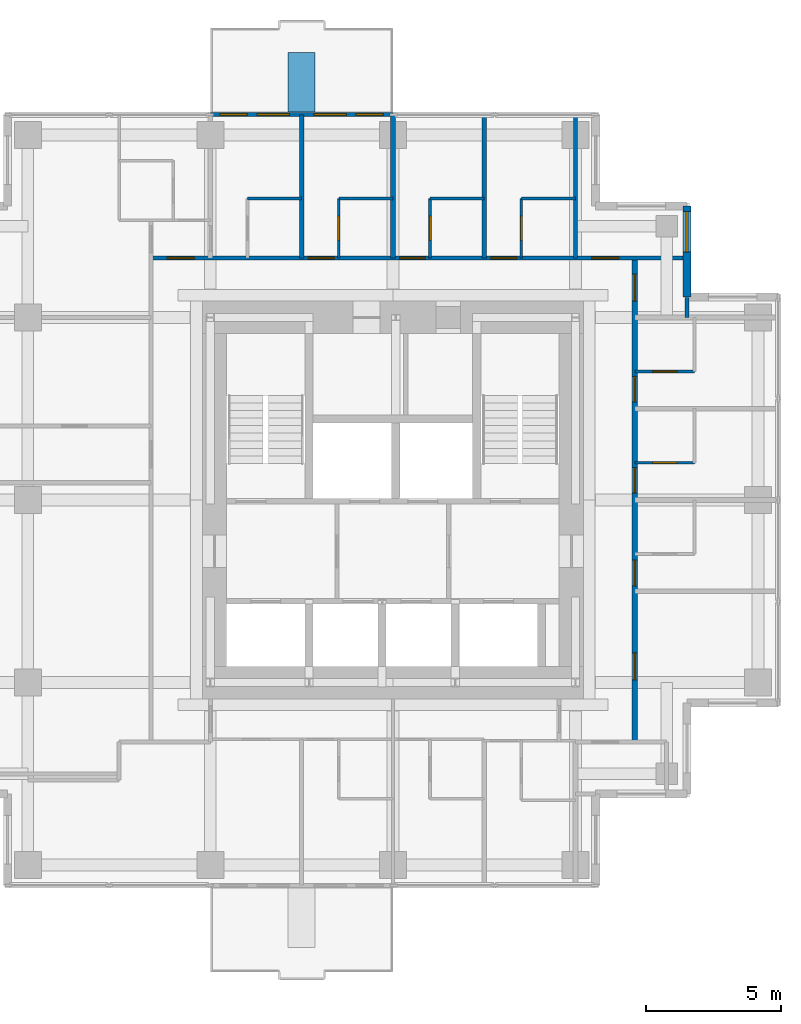
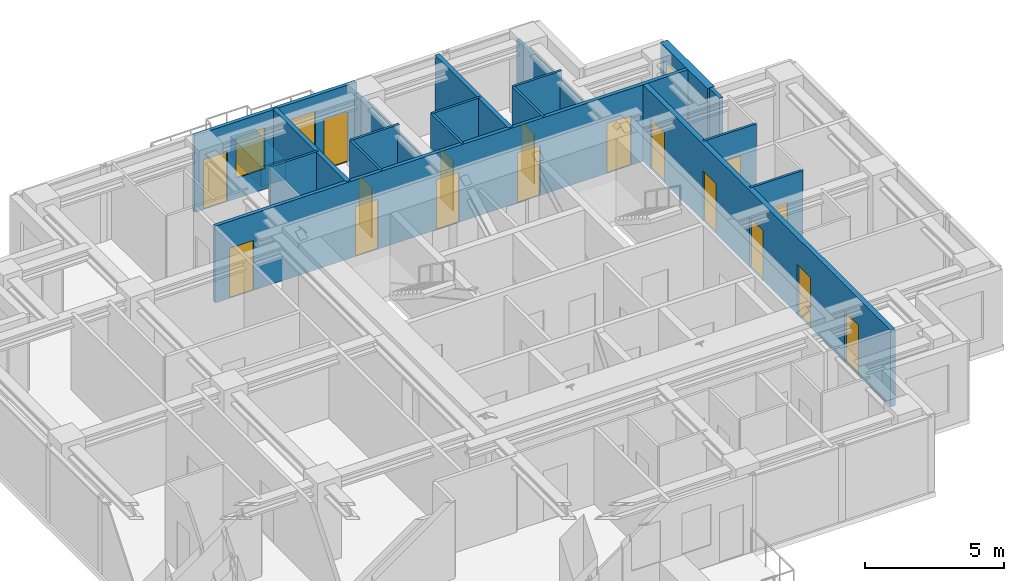
# One storey, part 6 of 8: 19 walls, 17 doors, 3 windows, 20 openings.
"""IFC4 building model written with IfcOpenShell, lengths in metres."""

from ifc_helpers import new_model, si_unit, direction, frame, frame_2d, origin, place, context, subcontext, project, spatial, rectangle, extrude, material, layer, layer_set, type_object, element, fill, save


model = new_model("IFC4")

# Units and contexts
model_context = context("Model", 3, precision=1e-05, world=origin(), true_north=direction((0.0, 1.0)))
body_context = subcontext(model_context, "Body", "Model", "MODEL_VIEW")
ifc_project = project(units=[si_unit("LENGTHUNIT", "METRE"), si_unit("AREAUNIT", "SQUARE_METRE"), si_unit("VOLUMEUNIT", "CUBIC_METRE"), si_unit("PLANEANGLEUNIT", "RADIAN"), si_unit("MASSUNIT", "GRAM", prefix="KILO")], contexts=[model_context])

# Site, building, storey
site_placement = place(None, origin())
site = spatial("IfcSite", under=ifc_project, at=site_placement, CompositionType="ELEMENT")
building_placement = place(site_placement, origin())
building = spatial("IfcBuilding", under=site, at=building_placement, Name="Nyansa Garden Tower", CompositionType="ELEMENT")
storey_placement = place(building_placement, frame((0.0, 0.0, 233.10009765625)))
storey = spatial("IfcBuildingStorey", under=building, at=storey_placement, Name="L63", CompositionType="ELEMENT", Elevation=233.10009765625)

# Walls
ifc_material_1 = material(Name="Dense blockwork, plastered both sides, 55 dB", Category="masonry")
ifc_layer_1 = layer(ifc_material_1, 0.175048828125)
ifc_layer_set_1 = layer_set([ifc_layer_1], Name="Acoustic party wall PW175")
wall_type_1 = type_object("IfcWallType", Name="Acoustic party wall PW175", PredefinedType="PARTITIONING", material=ifc_layer_set_1)
wall_1_placement = place(storey_placement, frame((16.875, 29.199951171875, 0.0), z_axis=(0.0, 0.0, 1.0), x_axis=(0.0, 1.0, 0.0)))
element("IfcWall", 1, at=wall_1_placement, inside=storey, type_object=wall_type_1, Name="Party wall", PredefinedType="PARTITIONING", context=body_context, shape_type="SweptSolid", body=[
    extrude(rectangle(XDim=5.283935546875, YDim=0.175048828125, at=frame_2d((2.64208984375, 0.0))), origin(), (0.0, 0.0, 1.0), 3.375),
])
wall_2_placement = place(storey_placement, frame((20.25, 29.199951171875, 0.0), z_axis=(0.0, 0.0, 1.0), x_axis=(0.0, 1.0, 0.0)))
element("IfcWall", 2, at=wall_2_placement, inside=storey, type_object=wall_type_1, Name="Party wall", PredefinedType="PARTITIONING", context=body_context, shape_type="SweptSolid", body=[
    extrude(rectangle(XDim=5.283935546875, YDim=0.175048828125, at=frame_2d((2.64208984375, 0.0))), origin(), (0.0, 0.0, 1.0), 2.876953125),
])
wall_3_placement = place(storey_placement, frame((23.625, 29.199951171875, 0.0), z_axis=(0.0, 0.0, 1.0), x_axis=(0.0, 1.0, 0.0)))
element("IfcWall", 3, at=wall_3_placement, inside=storey, type_object=wall_type_1, Name="Party wall", PredefinedType="PARTITIONING", context=body_context, shape_type="SweptSolid", body=[
    extrude(rectangle(XDim=5.283935546875, YDim=0.175048828125, at=frame_2d((2.64208984375, 0.0))), origin(), (0.0, 0.0, 1.0), 3.375),
])

# Wall, openings, doors, windows
ifc_material_2 = material(Name="Black aluminium framed glazed screen", Category="aluminium")
ifc_layer_2 = layer(ifc_material_2, 0.14990234375)
ifc_layer_set_2 = layer_set([ifc_layer_2], Name="Balcony screen wall BW150")
wall_type_2 = type_object("IfcWallType", Name="Balcony screen wall BW150", PredefinedType="SOLIDWALL", material=ifc_layer_set_2)
wall_4_placement = place(storey_placement, frame((13.5, 34.5, 0.0), z_axis=(0.0, 0.0, 1.0), x_axis=(1.0, 0.0, 0.0)))
wall_4 = element("IfcWall", 4, at=wall_4_placement, inside=storey, type_object=wall_type_2, Name="Glazed screen wall L63 N", PredefinedType="SOLIDWALL", context=body_context, shape_type="SweptSolid", body=[
    extrude(rectangle(XDim=6.75, YDim=0.14990234375, at=frame_2d((3.375, 0.0))), origin(), (0.0, 0.0, 1.0), 3.375),
])
opening_1_placement = place(wall_4_placement, frame((0.362548828125, 0.0, 0.0)))
opening_1 = element("IfcOpeningElement", 5, at=opening_1_placement, cuts=wall_4, Name="Opening D20", PredefinedType="OPENING", context=body_context, shape_type="SweptSolid", body=[
    extrude(rectangle(XDim=1.0, YDim=2.199951171875, at=frame_2d((0.5, 1.10009765625))), frame((0.0, 0.0849609375, 0.0), z_axis=(0.0, -1.0, 0.0), x_axis=(1.0, 0.0, 0.0)), (0.0, 0.0, 1.0), 0.169921875),
])
opening_2_placement = place(wall_4_placement, frame((1.72509765625, 0.0, 0.89990234375)))
opening_2 = element("IfcOpeningElement", 6, at=opening_2_placement, cuts=wall_4, Name="Opening W6", PredefinedType="OPENING", context=body_context, shape_type="SweptSolid", body=[
    extrude(rectangle(XDim=1.199951171875, YDim=1.800048828125, at=frame_2d((0.60009765625, 0.89990234375))), frame((0.0, 0.0849609375, 0.0), z_axis=(0.0, -1.0, 0.0), x_axis=(1.0, 0.0, 0.0)), (0.0, 0.0, 1.0), 0.169921875),
])
opening_3_placement = place(wall_4_placement, frame((5.387451171875, 0.0, 0.0)))
opening_3 = element("IfcOpeningElement", 7, at=opening_3_placement, cuts=wall_4, Name="Opening D20", PredefinedType="OPENING", context=body_context, shape_type="SweptSolid", body=[
    extrude(rectangle(XDim=1.0, YDim=2.199951171875, at=frame_2d((0.5, 1.10009765625))), frame((0.0, 0.0849609375, 0.0), z_axis=(0.0, -1.0, 0.0), x_axis=(1.0, 0.0, 0.0)), (0.0, 0.0, 1.0), 0.169921875),
])
opening_4_placement = place(wall_4_placement, frame((3.824951171875, 0.0, 0.89990234375)))
opening_4 = element("IfcOpeningElement", 8, at=opening_4_placement, cuts=wall_4, Name="Opening W6", PredefinedType="OPENING", context=body_context, shape_type="SweptSolid", body=[
    extrude(rectangle(XDim=1.199951171875, YDim=1.800048828125, at=frame_2d((0.60009765625, 0.89990234375))), frame((0.0, 0.0849609375, 0.0), z_axis=(0.0, -1.0, 0.0), x_axis=(1.0, 0.0, 0.0)), (0.0, 0.0, 1.0), 0.169921875),
])
ifc_material_3 = material(Name="Black aluminium framed glazed door", Category="aluminium")
door_type_1 = type_object("IfcDoorType", Name="Balcony door D20 1000x2200", OperationType="NOTDEFINED", PredefinedType="DOOR", material=ifc_material_3)
door_1_placement = place(opening_1_placement, origin())
door_1 = element("IfcDoor", 9, at=door_1_placement, inside=storey, type_object=door_type_1, Name="Balcony door L63", OperationType="SINGLE_SWING_LEFT", OverallHeight=2.199951171875, OverallWidth=1.0, PredefinedType="DOOR", context=body_context, shape_type="SweptSolid", body=[
    extrude(rectangle(XDim=1.0, YDim=2.199951171875, at=frame_2d((0.5, 1.10009765625))), frame((0.0, 0.02490234375, 0.0), z_axis=(0.0, -1.0, 0.0), x_axis=(1.0, 0.0, 0.0)), (0.0, 0.0, 1.0), 0.050048828125),
])
fill(opening_1, door_1)
door_2_placement = place(opening_3_placement, origin())
door_2 = element("IfcDoor", 10, at=door_2_placement, inside=storey, type_object=door_type_1, Name="Balcony door L63", OperationType="SINGLE_SWING_RIGHT", OverallHeight=2.199951171875, OverallWidth=1.0, PredefinedType="DOOR", context=body_context, shape_type="SweptSolid", body=[
    extrude(rectangle(XDim=1.0, YDim=2.199951171875, at=frame_2d((0.5, 1.10009765625))), frame((0.0, 0.02490234375, 0.0), z_axis=(0.0, -1.0, 0.0), x_axis=(1.0, 0.0, 0.0)), (0.0, 0.0, 1.0), 0.050048828125),
])
fill(opening_3, door_2)
ifc_material_4 = material(Name="Black aluminium frame, dark tinted double glazing", Category="aluminium")
window_type_1 = type_object("IfcWindowType", Name="Balcony window W6 1200x1800", PartitioningType="SINGLE_PANEL", PredefinedType="WINDOW", material=ifc_material_4)
window_1_placement = place(opening_2_placement, origin())
window_1 = element("IfcWindow", 11, at=window_1_placement, inside=storey, type_object=window_type_1, Name="Window L63", OverallHeight=1.800048828125, OverallWidth=1.199951171875, PartitioningType="SINGLE_PANEL", PredefinedType="WINDOW", context=body_context, shape_type="SweptSolid", body=[
    extrude(rectangle(XDim=1.199951171875, YDim=1.800048828125, at=frame_2d((0.60009765625, 0.89990234375))), frame((0.0, 0.030029296875, 0.0), z_axis=(0.0, -1.0, 0.0), x_axis=(1.0, 0.0, 0.0)), (0.0, 0.0, 1.0), 0.06005859375),
])
fill(opening_2, window_1)
window_2_placement = place(opening_4_placement, origin())
window_2 = element("IfcWindow", 12, at=window_2_placement, inside=storey, type_object=window_type_1, Name="Window L63", OverallHeight=1.800048828125, OverallWidth=1.199951171875, PartitioningType="SINGLE_PANEL", PredefinedType="WINDOW", context=body_context, shape_type="SweptSolid", body=[
    extrude(rectangle(XDim=1.199951171875, YDim=1.800048828125, at=frame_2d((0.60009765625, 0.89990234375))), frame((0.0, 0.030029296875, 0.0), z_axis=(0.0, -1.0, 0.0), x_axis=(1.0, 0.0, 0.0)), (0.0, 0.0, 1.0), 0.06005859375),
])
fill(opening_4, window_2)

# Wall, openings, doors
ifc_material_5 = material(Name="Concrete blockwork, plastered, 60 minute fire resisting", Category="masonry")
ifc_layer_3 = layer(ifc_material_5, 0.199951171875)
ifc_layer_set_3 = layer_set([ifc_layer_3], Name="Corridor wall FW200")
wall_type_3 = type_object("IfcWallType", Name="Corridor wall FW200", PredefinedType="PARTITIONING", material=ifc_layer_set_3)
wall_5_placement = place(storey_placement, frame((29.199951171875, 11.300048828125, 0.0), z_axis=(0.0, 0.0, 1.0), x_axis=(0.0, 1.0, 0.0)))
wall_5 = element("IfcWall", 13, at=wall_5_placement, inside=storey, type_object=wall_type_3, Name="Corridor wall", PredefinedType="PARTITIONING", context=body_context, shape_type="SweptSolid", body=[
    extrude(rectangle(XDim=17.89990234375, YDim=0.199951171875, at=frame_2d((8.949951171875, 0.0))), origin(), (0.0, 0.0, 1.0), 3.375),
])
opening_5_placement = place(wall_5_placement, frame((2.300048828125, 0.0, 0.0)))
opening_5 = element("IfcOpeningElement", 14, at=opening_5_placement, cuts=wall_5, Name="Opening D03", PredefinedType="OPENING", context=body_context, shape_type="SweptSolid", body=[
    extrude(rectangle(XDim=1.0, YDim=2.199951171875, at=frame_2d((0.5, 1.10009765625))), frame((0.0, 0.10986328125, 0.0), z_axis=(0.0, -1.0, 0.0), x_axis=(1.0, 0.0, 0.0)), (0.0, 0.0, 1.0), 0.219970703125),
])
opening_6_placement = place(wall_5_placement, frame((5.77490234375, 0.0, 0.0)))
opening_6 = element("IfcOpeningElement", 15, at=opening_6_placement, cuts=wall_5, Name="Opening D14", PredefinedType="OPENING", context=body_context, shape_type="SweptSolid", body=[
    extrude(rectangle(XDim=0.949951171875, YDim=2.199951171875, at=frame_2d((0.47509765625, 1.10009765625))), frame((0.0, 0.10986328125, 0.0), z_axis=(0.0, -1.0, 0.0), x_axis=(1.0, 0.0, 0.0)), (0.0, 0.0, 1.0), 0.219970703125),
])
opening_7_placement = place(wall_5_placement, frame((9.199951171875, 0.0, 0.0)))
opening_7 = element("IfcOpeningElement", 16, at=opening_7_placement, cuts=wall_5, Name="Opening D14", PredefinedType="OPENING", context=body_context, shape_type="SweptSolid", body=[
    extrude(rectangle(XDim=0.949951171875, YDim=2.199951171875, at=frame_2d((0.47509765625, 1.10009765625))), frame((0.0, 0.10986328125, 0.0), z_axis=(0.0, -1.0, 0.0), x_axis=(1.0, 0.0, 0.0)), (0.0, 0.0, 1.0), 0.219970703125),
])
opening_8_placement = place(wall_5_placement, frame((12.574951171875, 0.0, 0.0)))
opening_8 = element("IfcOpeningElement", 17, at=opening_8_placement, cuts=wall_5, Name="Opening D14", PredefinedType="OPENING", context=body_context, shape_type="SweptSolid", body=[
    extrude(rectangle(XDim=0.949951171875, YDim=2.199951171875, at=frame_2d((0.47509765625, 1.10009765625))), frame((0.0, 0.10986328125, 0.0), z_axis=(0.0, -1.0, 0.0), x_axis=(1.0, 0.0, 0.0)), (0.0, 0.0, 1.0), 0.219970703125),
])
opening_9_placement = place(wall_5_placement, frame((16.300048828125, 0.0, 0.0)))
opening_9 = element("IfcOpeningElement", 18, at=opening_9_placement, cuts=wall_5, Name="Opening D03", PredefinedType="OPENING", context=body_context, shape_type="SweptSolid", body=[
    extrude(rectangle(XDim=1.0, YDim=2.199951171875, at=frame_2d((0.5, 1.10009765625))), frame((0.0, 0.10986328125, 0.0), z_axis=(0.0, -1.0, 0.0), x_axis=(1.0, 0.0, 0.0)), (0.0, 0.0, 1.0), 0.219970703125),
])
ifc_material_6 = material(Name="Timber flush door, 60 minute fire resisting", Category="wood")
door_type_2 = type_object("IfcDoorType", Name="Cluster entrance door D03 1000x2200", OperationType="SINGLE_SWING_LEFT", PredefinedType="DOOR", material=ifc_material_6)
door_3_placement = place(opening_5_placement, origin())
door_3 = element("IfcDoor", 19, at=door_3_placement, inside=storey, type_object=door_type_2, Name="Door L63-026", OperationType="SINGLE_SWING_LEFT", OverallHeight=2.199951171875, OverallWidth=1.0, PredefinedType="DOOR", context=body_context, shape_type="SweptSolid", body=[
    extrude(rectangle(XDim=1.0, YDim=2.199951171875, at=frame_2d((0.5, 1.10009765625))), frame((0.0, 0.02490234375, 0.0), z_axis=(0.0, -1.0, 0.0), x_axis=(1.0, 0.0, 0.0)), (0.0, 0.0, 1.0), 0.050048828125),
])
fill(opening_5, door_3)
door_4_placement = place(opening_9_placement, origin())
door_4 = element("IfcDoor", 20, at=door_4_placement, inside=storey, type_object=door_type_2, Name="Door L63-033", OperationType="SINGLE_SWING_LEFT", OverallHeight=2.199951171875, OverallWidth=1.0, PredefinedType="DOOR", context=body_context, shape_type="SweptSolid", body=[
    extrude(rectangle(XDim=1.0, YDim=2.199951171875, at=frame_2d((0.5, 1.10009765625))), frame((0.0, 0.02490234375, 0.0), z_axis=(0.0, -1.0, 0.0), x_axis=(1.0, 0.0, 0.0)), (0.0, 0.0, 1.0), 0.050048828125),
])
fill(opening_9, door_4)
ifc_material_7 = material(Name="Timber flush door, 60 minute fire resisting, self-closing", Category="wood")
door_type_3 = type_object("IfcDoorType", Name="Studio entrance door D14 950x2200", OperationType="SINGLE_SWING_LEFT", PredefinedType="DOOR", material=ifc_material_7)
door_5_placement = place(opening_6_placement, origin())
door_5 = element("IfcDoor", 21, at=door_5_placement, inside=storey, type_object=door_type_3, Name="Door L63-027", OperationType="SINGLE_SWING_LEFT", OverallHeight=2.199951171875, OverallWidth=0.949951171875, PredefinedType="DOOR", context=body_context, shape_type="SweptSolid", body=[
    extrude(rectangle(XDim=0.949951171875, YDim=2.199951171875, at=frame_2d((0.47509765625, 1.10009765625))), frame((0.0, 0.02490234375, 0.0), z_axis=(0.0, -1.0, 0.0), x_axis=(1.0, 0.0, 0.0)), (0.0, 0.0, 1.0), 0.050048828125),
])
fill(opening_6, door_5)
door_6_placement = place(opening_7_placement, origin())
door_6 = element("IfcDoor", 22, at=door_6_placement, inside=storey, type_object=door_type_3, Name="Door L63-029", OperationType="SINGLE_SWING_LEFT", OverallHeight=2.199951171875, OverallWidth=0.949951171875, PredefinedType="DOOR", context=body_context, shape_type="SweptSolid", body=[
    extrude(rectangle(XDim=0.949951171875, YDim=2.199951171875, at=frame_2d((0.47509765625, 1.10009765625))), frame((0.0, 0.02490234375, 0.0), z_axis=(0.0, -1.0, 0.0), x_axis=(1.0, 0.0, 0.0)), (0.0, 0.0, 1.0), 0.050048828125),
])
fill(opening_7, door_6)
door_7_placement = place(opening_8_placement, origin())
door_7 = element("IfcDoor", 23, at=door_7_placement, inside=storey, type_object=door_type_3, Name="Door L63-031", OperationType="SINGLE_SWING_LEFT", OverallHeight=2.199951171875, OverallWidth=0.949951171875, PredefinedType="DOOR", context=body_context, shape_type="SweptSolid", body=[
    extrude(rectangle(XDim=0.949951171875, YDim=2.199951171875, at=frame_2d((0.47509765625, 1.10009765625))), frame((0.0, 0.02490234375, 0.0), z_axis=(0.0, -1.0, 0.0), x_axis=(1.0, 0.0, 0.0)), (0.0, 0.0, 1.0), 0.050048828125),
])
fill(opening_8, door_7)

ifc_material_8 = material(Name="Blockwork, plastered both sides", Category="masonry")
ifc_layer_4 = layer(ifc_material_8, 0.14990234375)
ifc_layer_set_4 = layer_set([ifc_layer_4], Name="Partition PW150")
wall_type_4 = type_object("IfcWallType", Name="Partition PW150", PredefinedType="PARTITIONING", material=ifc_layer_set_4)
wall_6_placement = place(storey_placement, frame((11.300048828125, 29.199951171875, 0.0), z_axis=(0.0, 0.0, 1.0), x_axis=(1.0, 0.0, 0.0)))
wall_6 = element("IfcWall", 24, at=wall_6_placement, inside=storey, type_object=wall_type_4, Name="Partition", PredefinedType="PARTITIONING", context=body_context, shape_type="SweptSolid", body=[
    extrude(rectangle(XDim=19.808837890625, YDim=0.14990234375, at=frame_2d((9.904296875, 0.0))), origin(), (0.0, 0.0, 1.0), 3.375),
])
opening_10_placement = place(wall_6_placement, frame((16.300048828125, 0.0, 0.0)))
opening_10 = element("IfcOpeningElement", 25, at=opening_10_placement, cuts=wall_6, Name="Opening D03", PredefinedType="OPENING", context=body_context, shape_type="SweptSolid", body=[
    extrude(rectangle(XDim=1.0, YDim=2.199951171875, at=frame_2d((0.5, 1.10009765625))), frame((0.0, 0.0849609375, 0.0), z_axis=(0.0, -1.0, 0.0), x_axis=(1.0, 0.0, 0.0)), (0.0, 0.0, 1.0), 0.169921875),
])
opening_11_placement = place(wall_6_placement, frame((5.824951171875, 0.0, 0.0)))
opening_11 = element("IfcOpeningElement", 26, at=opening_11_placement, cuts=wall_6, Name="Opening D14", PredefinedType="OPENING", context=body_context, shape_type="SweptSolid", body=[
    extrude(rectangle(XDim=0.949951171875, YDim=2.199951171875, at=frame_2d((0.47509765625, 1.10009765625))), frame((0.0, 0.0849609375, 0.0), z_axis=(0.0, -1.0, 0.0), x_axis=(1.0, 0.0, 0.0)), (0.0, 0.0, 1.0), 0.169921875),
])
opening_12_placement = place(wall_6_placement, frame((9.199951171875, 0.0, 0.0)))
opening_12 = element("IfcOpeningElement", 27, at=opening_12_placement, cuts=wall_6, Name="Opening D14", PredefinedType="OPENING", context=body_context, shape_type="SweptSolid", body=[
    extrude(rectangle(XDim=0.949951171875, YDim=2.199951171875, at=frame_2d((0.47509765625, 1.10009765625))), frame((0.0, 0.0849609375, 0.0), z_axis=(0.0, -1.0, 0.0), x_axis=(1.0, 0.0, 0.0)), (0.0, 0.0, 1.0), 0.169921875),
])
opening_13_placement = place(wall_6_placement, frame((12.574951171875, 0.0, 0.0)))
opening_13 = element("IfcOpeningElement", 28, at=opening_13_placement, cuts=wall_6, Name="Opening D14", PredefinedType="OPENING", context=body_context, shape_type="SweptSolid", body=[
    extrude(rectangle(XDim=0.949951171875, YDim=2.199951171875, at=frame_2d((0.47509765625, 1.10009765625))), frame((0.0, 0.0849609375, 0.0), z_axis=(0.0, -1.0, 0.0), x_axis=(1.0, 0.0, 0.0)), (0.0, 0.0, 1.0), 0.169921875),
])
opening_14_placement = place(wall_6_placement, frame((0.60009765625, 0.0, 0.0)))
opening_14 = element("IfcOpeningElement", 29, at=opening_14_placement, cuts=wall_6, Name="Opening D03", PredefinedType="OPENING", context=body_context, shape_type="SweptSolid", body=[
    extrude(rectangle(XDim=1.0, YDim=2.199951171875, at=frame_2d((0.5, 1.10009765625))), frame((0.0, 0.0849609375, 0.0), z_axis=(0.0, -1.0, 0.0), x_axis=(1.0, 0.0, 0.0)), (0.0, 0.0, 1.0), 0.169921875),
])
door_8_placement = place(opening_10_placement, origin())
door_8 = element("IfcDoor", 30, at=door_8_placement, inside=storey, type_object=door_type_2, Name="Door L63-034", OperationType="SINGLE_SWING_LEFT", OverallHeight=2.199951171875, OverallWidth=1.0, PredefinedType="DOOR", context=body_context, shape_type="SweptSolid", body=[
    extrude(rectangle(XDim=1.0, YDim=2.199951171875, at=frame_2d((0.5, 1.10009765625))), frame((0.0, 0.02490234375, 0.0), z_axis=(0.0, -1.0, 0.0), x_axis=(1.0, 0.0, 0.0)), (0.0, 0.0, 1.0), 0.050048828125),
])
fill(opening_10, door_8)
door_9_placement = place(opening_14_placement, origin())
door_9 = element("IfcDoor", 31, at=door_9_placement, inside=storey, type_object=door_type_2, Name="Door L63-045", OperationType="SINGLE_SWING_LEFT", OverallHeight=2.199951171875, OverallWidth=1.0, PredefinedType="DOOR", context=body_context, shape_type="SweptSolid", body=[
    extrude(rectangle(XDim=1.0, YDim=2.199951171875, at=frame_2d((0.5, 1.10009765625))), frame((0.0, 0.02490234375, 0.0), z_axis=(0.0, -1.0, 0.0), x_axis=(1.0, 0.0, 0.0)), (0.0, 0.0, 1.0), 0.050048828125),
])
fill(opening_14, door_9)
door_10_placement = place(opening_11_placement, origin())
door_10 = element("IfcDoor", 32, at=door_10_placement, inside=storey, type_object=door_type_3, Name="Door L63-039", OperationType="SINGLE_SWING_LEFT", OverallHeight=2.199951171875, OverallWidth=0.949951171875, PredefinedType="DOOR", context=body_context, shape_type="SweptSolid", body=[
    extrude(rectangle(XDim=0.949951171875, YDim=2.199951171875, at=frame_2d((0.47509765625, 1.10009765625))), frame((0.0, 0.02490234375, 0.0), z_axis=(0.0, -1.0, 0.0), x_axis=(1.0, 0.0, 0.0)), (0.0, 0.0, 1.0), 0.050048828125),
])
fill(opening_11, door_10)
door_11_placement = place(opening_12_placement, origin())
door_11 = element("IfcDoor", 33, at=door_11_placement, inside=storey, type_object=door_type_3, Name="Door L63-041", OperationType="SINGLE_SWING_LEFT", OverallHeight=2.199951171875, OverallWidth=0.949951171875, PredefinedType="DOOR", context=body_context, shape_type="SweptSolid", body=[
    extrude(rectangle(XDim=0.949951171875, YDim=2.199951171875, at=frame_2d((0.47509765625, 1.10009765625))), frame((0.0, 0.02490234375, 0.0), z_axis=(0.0, -1.0, 0.0), x_axis=(1.0, 0.0, 0.0)), (0.0, 0.0, 1.0), 0.050048828125),
])
fill(opening_12, door_11)
door_12_placement = place(opening_13_placement, origin())
door_12 = element("IfcDoor", 34, at=door_12_placement, inside=storey, type_object=door_type_3, Name="Door L63-043", OperationType="SINGLE_SWING_LEFT", OverallHeight=2.199951171875, OverallWidth=0.949951171875, PredefinedType="DOOR", context=body_context, shape_type="SweptSolid", body=[
    extrude(rectangle(XDim=0.949951171875, YDim=2.199951171875, at=frame_2d((0.47509765625, 1.10009765625))), frame((0.0, 0.02490234375, 0.0), z_axis=(0.0, -1.0, 0.0), x_axis=(1.0, 0.0, 0.0)), (0.0, 0.0, 1.0), 0.050048828125),
])
fill(opening_13, door_12)

# Walls
wall_7_placement = place(storey_placement, frame((27.0, 29.199951171875, 0.0), z_axis=(0.0, 0.0, 1.0), x_axis=(0.0, 1.0, 0.0)))
element("IfcWall", 35, at=wall_7_placement, inside=storey, type_object=wall_type_4, Name="Partition", PredefinedType="PARTITIONING", context=body_context, shape_type="SweptSolid", body=[
    extrude(rectangle(XDim=5.283935546875, YDim=0.14990234375, at=frame_2d((2.64208984375, 0.0))), origin(), (0.0, 0.0, 1.0), 2.876953125),
])
wall_8_placement = place(storey_placement, frame((31.125, 27.0, 0.0), z_axis=(0.0, 0.0, 1.0), x_axis=(0.0, 1.0, 0.0)))
element("IfcWall", 36, at=wall_8_placement, inside=storey, type_object=wall_type_4, Name="Partition", PredefinedType="PARTITIONING", context=body_context, shape_type="SweptSolid", body=[
    extrude(rectangle(XDim=0.73388671875, YDim=0.14990234375, at=frame_2d((0.366943359375, 0.0))), origin(), (0.0, 0.0, 1.0), 3.375),
])

# Wall, opening, window
ifc_material_9 = material(Name="Turquoise glazed tile on concrete blockwork", Category="masonry")
ifc_layer_5 = layer(ifc_material_9, 0.300048828125)
ifc_layer_set_5 = layer_set([ifc_layer_5], Name="Tiled corner wall TW300")
wall_type_5 = type_object("IfcWallType", Name="Tiled corner wall TW300", PredefinedType="SOLIDWALL", material=ifc_layer_set_5)
wall_9_placement = place(storey_placement, frame((31.125, 27.75, 0.0), z_axis=(0.0, 0.0, 1.0), x_axis=(0.0, 1.0, 0.0)))
wall_9 = element("IfcWall", 37, at=wall_9_placement, inside=storey, type_object=wall_type_5, Name="Tiled corner wall L63", PredefinedType="SOLIDWALL", context=body_context, shape_type="SweptSolid", body=[
    extrude(rectangle(XDim=3.375, YDim=0.300048828125, at=frame_2d((1.6875, 0.0))), origin(), (0.0, 0.0, 1.0), 3.375),
])
opening_15_placement = place(wall_9_placement, frame((1.66259765625, 0.0, 0.89990234375)))
opening_15 = element("IfcOpeningElement", 38, at=opening_15_placement, cuts=wall_9, Name="Opening W1", PredefinedType="OPENING", context=body_context, shape_type="SweptSolid", body=[
    extrude(rectangle(XDim=1.5, YDim=1.800048828125, at=frame_2d((0.75, 0.89990234375))), frame((0.0, 0.159912109375, 0.0), z_axis=(0.0, -1.0, 0.0), x_axis=(1.0, 0.0, 0.0)), (0.0, 0.0, 1.0), 0.320068359375),
])
ifc_material_10 = material(Name="Black aluminium frame, dark tinted double glazing", Category="aluminium")
window_type_2 = type_object("IfcWindowType", Name="Window W1 1500x1800", PartitioningType="SINGLE_PANEL", PredefinedType="WINDOW", material=ifc_material_10)
window_3_placement = place(opening_15_placement, origin())
window_3 = element("IfcWindow", 39, at=window_3_placement, inside=storey, type_object=window_type_2, Name="Corner window L63", OverallHeight=1.800048828125, OverallWidth=1.5, PartitioningType="SINGLE_PANEL", PredefinedType="WINDOW", context=body_context, shape_type="SweptSolid", body=[
    extrude(rectangle(XDim=1.5, YDim=1.800048828125, at=frame_2d((0.75, 0.89990234375))), frame((0.0, 0.030029296875, 0.0), z_axis=(0.0, -1.0, 0.0), x_axis=(1.0, 0.0, 0.0)), (0.0, 0.0, 1.0), 0.06005859375),
])
fill(opening_15, window_3)

# Walls
ifc_material_11 = material(Name="Concrete C40/50 planter, waterproofed", Category="concrete")
ifc_layer_6 = layer(ifc_material_11, 1.0)
ifc_layer_set_6 = layer_set([ifc_layer_6], Name="Tree planter TP1")
wall_type_6 = type_object("IfcWallType", Name="Tree planter TP1", PredefinedType="USERDEFINED", material=ifc_layer_set_6)
wall_10_placement = place(storey_placement, frame((16.875, 34.60009765625, 0.0), z_axis=(0.0, 0.0, 1.0), x_axis=(0.0, 1.0, 0.0)))
element("IfcWall", 40, at=wall_10_placement, inside=storey, type_object=wall_type_6, Name="Tree planter L63", ObjectType="TREE PLANTER", PredefinedType="USERDEFINED", context=body_context, shape_type="SweptSolid", body=[
    extrude(rectangle(XDim=2.199951171875, YDim=1.0, at=frame_2d((1.10009765625, 0.0))), origin(), (0.0, 0.0, 1.0), 0.89990234375),
])
ifc_material_12 = material(Name="Moisture resistant board on steel studs, tiled", Category="steel")
ifc_layer_7 = layer(ifc_material_12, 0.10009765625)
ifc_layer_set_7 = layer_set([ifc_layer_7], Name="Wet wall PW100")
wall_type_7 = type_object("IfcWallType", Name="Wet wall PW100", PredefinedType="PARTITIONING", material=ifc_layer_set_7)
wall_11_placement = place(storey_placement, frame((14.875, 31.39990234375, 0.0), z_axis=(0.0, 0.0, 1.0), x_axis=(1.0, 0.0, 0.0)))
element("IfcWall", 41, at=wall_11_placement, inside=storey, type_object=wall_type_7, Name="Wet wall", PredefinedType="PARTITIONING", context=body_context, shape_type="SweptSolid", body=[
    extrude(rectangle(XDim=2.0, YDim=0.10009765625, at=frame_2d((1.0, 0.0))), origin(), (0.0, 0.0, 1.0), 3.375),
])

# Wall, opening, door
wall_12_placement = place(storey_placement, frame((18.25, 29.199951171875, 0.0), z_axis=(0.0, 0.0, 1.0), x_axis=(0.0, 1.0, 0.0)))
wall_12 = element("IfcWall", 42, at=wall_12_placement, inside=storey, type_object=wall_type_7, Name="Wet wall", PredefinedType="PARTITIONING", context=body_context, shape_type="SweptSolid", body=[
    extrude(rectangle(XDim=2.199951171875, YDim=0.10009765625, at=frame_2d((1.10009765625, 0.0))), origin(), (0.0, 0.0, 1.0), 3.375),
])
opening_16_placement = place(wall_12_placement, frame((0.64990234375, 0.0, 0.0)))
opening_16 = element("IfcOpeningElement", 43, at=opening_16_placement, cuts=wall_12, Name="Opening D02", PredefinedType="OPENING", context=body_context, shape_type="SweptSolid", body=[
    extrude(rectangle(XDim=0.89990234375, YDim=2.199951171875, at=frame_2d((0.449951171875, 1.10009765625))), frame((0.0, 0.06005859375, 0.0), z_axis=(0.0, -1.0, 0.0), x_axis=(1.0, 0.0, 0.0)), (0.0, 0.0, 1.0), 0.1201171875),
])
ifc_material_13 = material(Name="Timber flush door", Category="wood")
door_type_4 = type_object("IfcDoorType", Name="En-suite door D02 900x2200", OperationType="SINGLE_SWING_RIGHT", PredefinedType="DOOR", material=ifc_material_13)
door_13_placement = place(opening_16_placement, origin())
door_13 = element("IfcDoor", 44, at=door_13_placement, inside=storey, type_object=door_type_4, Name="Door L63-040", OperationType="SINGLE_SWING_RIGHT", OverallHeight=2.199951171875, OverallWidth=0.89990234375, PredefinedType="DOOR", context=body_context, shape_type="SweptSolid", body=[
    extrude(rectangle(XDim=0.89990234375, YDim=2.199951171875, at=frame_2d((0.449951171875, 1.10009765625))), frame((0.0, 0.02490234375, 0.0), z_axis=(0.0, -1.0, 0.0), x_axis=(1.0, 0.0, 0.0)), (0.0, 0.0, 1.0), 0.050048828125),
])
fill(opening_16, door_13)

# Wall
wall_13_placement = place(storey_placement, frame((18.25, 31.39990234375, 0.0), z_axis=(0.0, 0.0, 1.0), x_axis=(1.0, 0.0, 0.0)))
element("IfcWall", 45, at=wall_13_placement, inside=storey, type_object=wall_type_7, Name="Wet wall", PredefinedType="PARTITIONING", context=body_context, shape_type="SweptSolid", body=[
    extrude(rectangle(XDim=2.0, YDim=0.10009765625, at=frame_2d((1.0, 0.0))), origin(), (0.0, 0.0, 1.0), 3.375),
])

# Wall, opening, door
wall_14_placement = place(storey_placement, frame((21.625, 29.199951171875, 0.0), z_axis=(0.0, 0.0, 1.0), x_axis=(0.0, 1.0, 0.0)))
wall_14 = element("IfcWall", 46, at=wall_14_placement, inside=storey, type_object=wall_type_7, Name="Wet wall", PredefinedType="PARTITIONING", context=body_context, shape_type="SweptSolid", body=[
    extrude(rectangle(XDim=2.199951171875, YDim=0.10009765625, at=frame_2d((1.10009765625, 0.0))), origin(), (0.0, 0.0, 1.0), 3.375),
])
opening_17_placement = place(wall_14_placement, frame((0.64990234375, 0.0, 0.0)))
opening_17 = element("IfcOpeningElement", 47, at=opening_17_placement, cuts=wall_14, Name="Opening D02", PredefinedType="OPENING", context=body_context, shape_type="SweptSolid", body=[
    extrude(rectangle(XDim=0.89990234375, YDim=2.199951171875, at=frame_2d((0.449951171875, 1.10009765625))), frame((0.0, 0.06005859375, 0.0), z_axis=(0.0, -1.0, 0.0), x_axis=(1.0, 0.0, 0.0)), (0.0, 0.0, 1.0), 0.1201171875),
])
door_14_placement = place(opening_17_placement, origin())
door_14 = element("IfcDoor", 48, at=door_14_placement, inside=storey, type_object=door_type_4, Name="Door L63-042", OperationType="SINGLE_SWING_RIGHT", OverallHeight=2.199951171875, OverallWidth=0.89990234375, PredefinedType="DOOR", context=body_context, shape_type="SweptSolid", body=[
    extrude(rectangle(XDim=0.89990234375, YDim=2.199951171875, at=frame_2d((0.449951171875, 1.10009765625))), frame((0.0, 0.02490234375, 0.0), z_axis=(0.0, -1.0, 0.0), x_axis=(1.0, 0.0, 0.0)), (0.0, 0.0, 1.0), 0.050048828125),
])
fill(opening_17, door_14)

# Wall
wall_15_placement = place(storey_placement, frame((21.625, 31.39990234375, 0.0), z_axis=(0.0, 0.0, 1.0), x_axis=(1.0, 0.0, 0.0)))
element("IfcWall", 49, at=wall_15_placement, inside=storey, type_object=wall_type_7, Name="Wet wall", PredefinedType="PARTITIONING", context=body_context, shape_type="SweptSolid", body=[
    extrude(rectangle(XDim=2.0, YDim=0.10009765625, at=frame_2d((1.0, 0.0))), origin(), (0.0, 0.0, 1.0), 3.375),
])

# Wall, opening, door
wall_16_placement = place(storey_placement, frame((25.0, 29.199951171875, 0.0), z_axis=(0.0, 0.0, 1.0), x_axis=(0.0, 1.0, 0.0)))
wall_16 = element("IfcWall", 50, at=wall_16_placement, inside=storey, type_object=wall_type_7, Name="Wet wall", PredefinedType="PARTITIONING", context=body_context, shape_type="SweptSolid", body=[
    extrude(rectangle(XDim=2.199951171875, YDim=0.10009765625, at=frame_2d((1.10009765625, 0.0))), origin(), (0.0, 0.0, 1.0), 3.375),
])
opening_18_placement = place(wall_16_placement, frame((0.64990234375, 0.0, 0.0)))
opening_18 = element("IfcOpeningElement", 51, at=opening_18_placement, cuts=wall_16, Name="Opening D02", PredefinedType="OPENING", context=body_context, shape_type="SweptSolid", body=[
    extrude(rectangle(XDim=0.89990234375, YDim=2.199951171875, at=frame_2d((0.449951171875, 1.10009765625))), frame((0.0, 0.06005859375, 0.0), z_axis=(0.0, -1.0, 0.0), x_axis=(1.0, 0.0, 0.0)), (0.0, 0.0, 1.0), 0.1201171875),
])
door_15_placement = place(opening_18_placement, origin())
door_15 = element("IfcDoor", 52, at=door_15_placement, inside=storey, type_object=door_type_4, Name="Door L63-044", OperationType="SINGLE_SWING_RIGHT", OverallHeight=2.199951171875, OverallWidth=0.89990234375, PredefinedType="DOOR", context=body_context, shape_type="SweptSolid", body=[
    extrude(rectangle(XDim=0.89990234375, YDim=2.199951171875, at=frame_2d((0.449951171875, 1.10009765625))), frame((0.0, 0.02490234375, 0.0), z_axis=(0.0, -1.0, 0.0), x_axis=(1.0, 0.0, 0.0)), (0.0, 0.0, 1.0), 0.050048828125),
])
fill(opening_18, door_15)

# Wall
wall_17_placement = place(storey_placement, frame((25.0, 31.39990234375, 0.0), z_axis=(0.0, 0.0, 1.0), x_axis=(1.0, 0.0, 0.0)))
element("IfcWall", 53, at=wall_17_placement, inside=storey, type_object=wall_type_7, Name="Wet wall", PredefinedType="PARTITIONING", context=body_context, shape_type="SweptSolid", body=[
    extrude(rectangle(XDim=2.0, YDim=0.10009765625, at=frame_2d((1.0, 0.0))), origin(), (0.0, 0.0, 1.0), 3.375),
])

# Wall, opening, door
wall_18_placement = place(storey_placement, frame((29.199951171875, 21.625, 0.0), z_axis=(0.0, 0.0, 1.0), x_axis=(1.0, 0.0, 0.0)))
wall_18 = element("IfcWall", 54, at=wall_18_placement, inside=storey, type_object=wall_type_7, Name="Wet wall", PredefinedType="PARTITIONING", context=body_context, shape_type="SweptSolid", body=[
    extrude(rectangle(XDim=2.199951171875, YDim=0.10009765625, at=frame_2d((1.10009765625, 0.0))), origin(), (0.0, 0.0, 1.0), 3.375),
])
opening_19_placement = place(wall_18_placement, frame((0.64990234375, 0.0, 0.0)))
opening_19 = element("IfcOpeningElement", 55, at=opening_19_placement, cuts=wall_18, Name="Opening D02", PredefinedType="OPENING", context=body_context, shape_type="SweptSolid", body=[
    extrude(rectangle(XDim=0.89990234375, YDim=2.199951171875, at=frame_2d((0.449951171875, 1.10009765625))), frame((0.0, 0.06005859375, 0.0), z_axis=(0.0, -1.0, 0.0), x_axis=(1.0, 0.0, 0.0)), (0.0, 0.0, 1.0), 0.1201171875),
])
door_16_placement = place(opening_19_placement, origin())
door_16 = element("IfcDoor", 56, at=door_16_placement, inside=storey, type_object=door_type_4, Name="Door L63-030", OperationType="SINGLE_SWING_RIGHT", OverallHeight=2.199951171875, OverallWidth=0.89990234375, PredefinedType="DOOR", context=body_context, shape_type="SweptSolid", body=[
    extrude(rectangle(XDim=0.89990234375, YDim=2.199951171875, at=frame_2d((0.449951171875, 1.10009765625))), frame((0.0, 0.02490234375, 0.0), z_axis=(0.0, -1.0, 0.0), x_axis=(1.0, 0.0, 0.0)), (0.0, 0.0, 1.0), 0.050048828125),
])
fill(opening_19, door_16)

wall_19_placement = place(storey_placement, frame((29.199951171875, 25.0, 0.0), z_axis=(0.0, 0.0, 1.0), x_axis=(1.0, 0.0, 0.0)))
wall_19 = element("IfcWall", 57, at=wall_19_placement, inside=storey, type_object=wall_type_7, Name="Wet wall", PredefinedType="PARTITIONING", context=body_context, shape_type="SweptSolid", body=[
    extrude(rectangle(XDim=2.199951171875, YDim=0.10009765625, at=frame_2d((1.10009765625, 0.0))), origin(), (0.0, 0.0, 1.0), 3.375),
])
opening_20_placement = place(wall_19_placement, frame((0.64990234375, 0.0, 0.0)))
opening_20 = element("IfcOpeningElement", 58, at=opening_20_placement, cuts=wall_19, Name="Opening D02", PredefinedType="OPENING", context=body_context, shape_type="SweptSolid", body=[
    extrude(rectangle(XDim=0.89990234375, YDim=2.199951171875, at=frame_2d((0.449951171875, 1.10009765625))), frame((0.0, 0.06005859375, 0.0), z_axis=(0.0, -1.0, 0.0), x_axis=(1.0, 0.0, 0.0)), (0.0, 0.0, 1.0), 0.1201171875),
])
door_17_placement = place(opening_20_placement, origin())
door_17 = element("IfcDoor", 59, at=door_17_placement, inside=storey, type_object=door_type_4, Name="Door L63-032", OperationType="SINGLE_SWING_RIGHT", OverallHeight=2.199951171875, OverallWidth=0.89990234375, PredefinedType="DOOR", context=body_context, shape_type="SweptSolid", body=[
    extrude(rectangle(XDim=0.89990234375, YDim=2.199951171875, at=frame_2d((0.449951171875, 1.10009765625))), frame((0.0, 0.02490234375, 0.0), z_axis=(0.0, -1.0, 0.0), x_axis=(1.0, 0.0, 0.0)), (0.0, 0.0, 1.0), 0.050048828125),
])
fill(opening_20, door_17)

save(model, "model.ifc")
